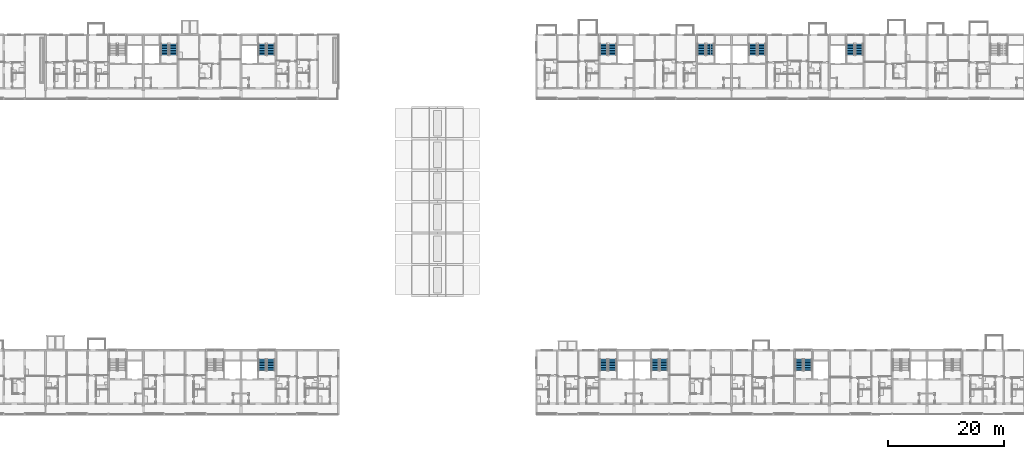
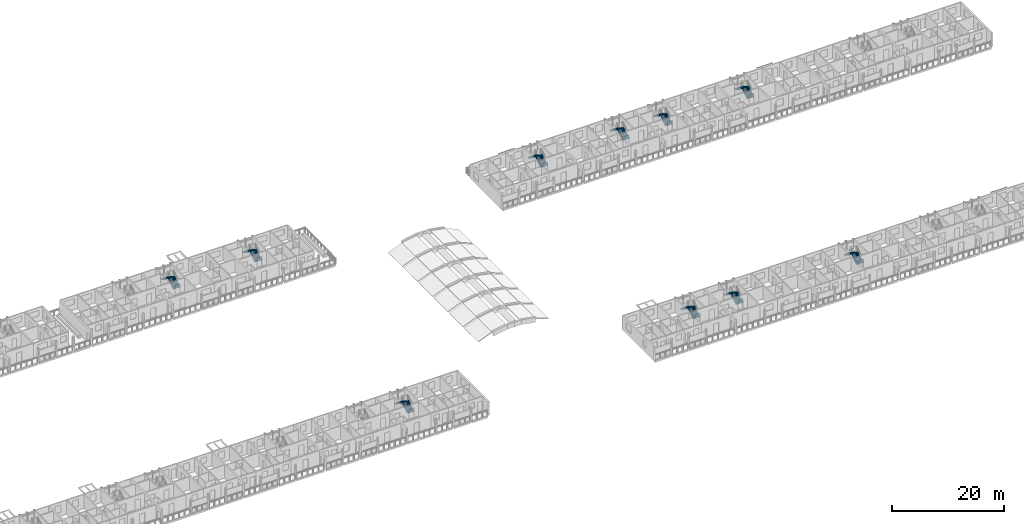
# One storey, part 62 of 93: 20 stair flights, 10 elements without a shape of their own.
"""IFC4 building model written with IfcOpenShell, lengths in metres."""

from ifc_helpers import new_model, si_unit, direction, frame, origin, place, context, subcontext, project, spatial, polyline, outline, extrude, material, type_object, element, aggregate, save


model = new_model("IFC4")

# Units and contexts
model_context = context("Model", 3, precision=1e-05, world=origin(), true_north=direction((0.0, 1.0)))
body_context = subcontext(model_context, "Body", "Model", "MODEL_VIEW")
ifc_project = project(units=[si_unit("LENGTHUNIT", "METRE"), si_unit("AREAUNIT", "SQUARE_METRE"), si_unit("VOLUMEUNIT", "CUBIC_METRE"), si_unit("PLANEANGLEUNIT", "RADIAN"), si_unit("MASSUNIT", "GRAM", prefix="KILO")], contexts=[model_context])

# Site, building, storey
site_placement = place(None, origin())
site = spatial("IfcSite", under=ifc_project, at=site_placement, CompositionType="ELEMENT")
building_placement = place(site_placement, origin())
building = spatial("IfcBuilding", under=site, at=building_placement, Name="Ridgestep Commons", CompositionType="ELEMENT")
storey_placement = place(building_placement, frame((0.0, 0.0, 18.0)))
storey = spatial("IfcBuildingStorey", under=building, at=storey_placement, Name="L06", CompositionType="ELEMENT", Elevation=18.0)

# Stair, stair flights
ifc_material_1 = material(Name="Precast concrete C40/50", Category="concrete")
stair_type = type_object("IfcStairType", Name="Escape stair 1400", PredefinedType="HALF_TURN_STAIR", material=ifc_material_1)
stair_1_placement = place(storey_placement, origin())
stair_1 = element("IfcStair", 1, at=stair_1_placement, inside=storey, type_object=stair_type, Name="L06 Escape stair A6C", PredefinedType="HALF_TURN_STAIR")
ifc_material_2 = material(Name="Precast concrete C40/50", Category="concrete")
stair_flight_type = type_object("IfcStairFlightType", Name="Stair flight 1400", PredefinedType="STRAIGHT", material=ifc_material_2)
stair_flight_1_placement = place(storey_placement, frame((101.175048828125, 19.35009765625, 0.0), z_axis=(0.0, 0.0, 1.0), x_axis=(0.0, 1.0, 0.0)))
stair_flight_1 = element("IfcStairFlight", 2, at=stair_flight_1_placement, type_object=stair_flight_type, Name="A6C flight 1", NumberOfRisers=8, NumberOfTreads=7, PredefinedType="STRAIGHT", RiserHeight=0.1875, TreadLength=0.28, context=body_context, shape_type="SweptSolid", body=[
    extrude(outline(polyline([(0.0, 0.0), (0.0, 0.1875), (0.280029296875, 0.1875), (0.280029296875, 0.375), (0.56005859375, 0.375), (0.56005859375, 0.5625), (0.840087890625, 0.5625), (0.840087890625, 0.75), (1.1201171875, 0.75), (1.1201171875, 0.9375), (1.39990234375, 0.9375), (1.39990234375, 1.125), (1.679931640625, 1.125), (1.679931640625, 1.3125), (1.9599609375, 1.3125), (1.9599609375, 1.5), (1.9599609375, 1.132080078125), (0.26953125, 0.0), (0.0, 0.0)])), frame((0.0, 0.699951171875, 0.0), z_axis=(0.0, -1.0, 0.0), x_axis=(1.0, 0.0, 0.0)), (0.0, 0.0, 1.0), 0.695068359375),
    extrude(outline(polyline([(0.0, 0.0), (0.0, 0.1875), (0.280029296875, 0.1875), (0.280029296875, 0.375), (0.56005859375, 0.375), (0.56005859375, 0.5625), (0.840087890625, 0.5625), (0.840087890625, 0.75), (1.1201171875, 0.75), (1.1201171875, 0.9375), (1.39990234375, 0.9375), (1.39990234375, 1.125), (1.679931640625, 1.125), (1.679931640625, 1.3125), (1.9599609375, 1.3125), (1.9599609375, 1.5), (1.9599609375, 1.132080078125), (0.26953125, 0.0), (0.0, 0.0)])), frame((0.0, -0.0048828125, 0.0), z_axis=(0.0, -1.0, 0.0), x_axis=(1.0, 0.0, 0.0)), (0.0, 0.0, 1.0), 0.695068359375),
])
stair_flight_2_placement = place(storey_placement, frame((99.675048828125, 21.31005859375, 1.5), z_axis=(0.0, 0.0, 1.0), x_axis=(0.0, -1.0, 0.0)))
stair_flight_2 = element("IfcStairFlight", 3, at=stair_flight_2_placement, type_object=stair_flight_type, Name="A6C flight 2", NumberOfRisers=8, NumberOfTreads=7, PredefinedType="STRAIGHT", RiserHeight=0.1875, TreadLength=0.28, context=body_context, shape_type="SweptSolid", body=[
    extrude(outline(polyline([(0.0, 0.0), (0.0, 0.1875), (0.280029296875, 0.1875), (0.280029296875, 0.375), (0.56005859375, 0.375), (0.56005859375, 0.5625), (0.840087890625, 0.5625), (0.840087890625, 0.75), (1.1201171875, 0.75), (1.1201171875, 0.9375), (1.39990234375, 0.9375), (1.39990234375, 1.125), (1.679931640625, 1.125), (1.679931640625, 1.3125), (1.9599609375, 1.3125), (1.9599609375, 1.5), (1.9599609375, 1.132080078125), (0.26953125, 0.0), (0.0, 0.0)])), frame((0.0, 0.699951171875, 0.0), z_axis=(0.0, -1.0, 0.0), x_axis=(1.0, 0.0, 0.0)), (0.0, 0.0, 1.0), 0.695068359375),
    extrude(outline(polyline([(0.0, 0.0), (0.0, 0.1875), (0.280029296875, 0.1875), (0.280029296875, 0.375), (0.56005859375, 0.375), (0.56005859375, 0.5625), (0.840087890625, 0.5625), (0.840087890625, 0.75), (1.1201171875, 0.75), (1.1201171875, 0.9375), (1.39990234375, 0.9375), (1.39990234375, 1.125), (1.679931640625, 1.125), (1.679931640625, 1.3125), (1.9599609375, 1.3125), (1.9599609375, 1.5), (1.9599609375, 1.132080078125), (0.26953125, 0.0), (0.0, 0.0)])), frame((0.0, -0.0048828125, 0.0), z_axis=(0.0, -1.0, 0.0), x_axis=(1.0, 0.0, 0.0)), (0.0, 0.0, 1.0), 0.695068359375),
])
aggregate(stair_1, [stair_flight_1, stair_flight_2])

stair_2_placement = place(storey_placement, origin())
stair_2 = element("IfcStair", 4, at=stair_2_placement, inside=storey, type_object=stair_type, Name="L06 Escape stair B5C", PredefinedType="HALF_TURN_STAIR")
stair_flight_3_placement = place(storey_placement, frame((84.375, 73.60009765625, 0.0), z_axis=(0.0, 0.0, 1.0), x_axis=(0.0, 1.0, 0.0)))
stair_flight_3 = element("IfcStairFlight", 5, at=stair_flight_3_placement, type_object=stair_flight_type, Name="B5C flight 1", NumberOfRisers=8, NumberOfTreads=7, PredefinedType="STRAIGHT", RiserHeight=0.1875, TreadLength=0.28, context=body_context, shape_type="SweptSolid", body=[
    extrude(outline(polyline([(0.0, 0.0), (0.0, 0.1875), (0.280029296875, 0.1875), (0.280029296875, 0.375), (0.56005859375, 0.375), (0.56005859375, 0.5625), (0.840087890625, 0.5625), (0.840087890625, 0.75), (1.1201171875, 0.75), (1.1201171875, 0.9375), (1.39990234375, 0.9375), (1.39990234375, 1.125), (1.679931640625, 1.125), (1.679931640625, 1.3125), (1.9599609375, 1.3125), (1.9599609375, 1.5), (1.9599609375, 1.132080078125), (0.26953125, 0.0), (0.0, 0.0)])), frame((0.0, 0.699951171875, 0.0), z_axis=(0.0, -1.0, 0.0), x_axis=(1.0, 0.0, 0.0)), (0.0, 0.0, 1.0), 0.695068359375),
    extrude(outline(polyline([(0.0, 0.0), (0.0, 0.1875), (0.280029296875, 0.1875), (0.280029296875, 0.375), (0.56005859375, 0.375), (0.56005859375, 0.5625), (0.840087890625, 0.5625), (0.840087890625, 0.75), (1.1201171875, 0.75), (1.1201171875, 0.9375), (1.39990234375, 0.9375), (1.39990234375, 1.125), (1.679931640625, 1.125), (1.679931640625, 1.3125), (1.9599609375, 1.3125), (1.9599609375, 1.5), (1.9599609375, 1.132080078125), (0.26953125, 0.0), (0.0, 0.0)])), frame((0.0, -0.0048828125, 0.0), z_axis=(0.0, -1.0, 0.0), x_axis=(1.0, 0.0, 0.0)), (0.0, 0.0, 1.0), 0.695068359375),
])
stair_flight_4_placement = place(storey_placement, frame((82.875, 75.56005859375, 1.5), z_axis=(0.0, 0.0, 1.0), x_axis=(0.0, -1.0, 0.0)))
stair_flight_4 = element("IfcStairFlight", 6, at=stair_flight_4_placement, type_object=stair_flight_type, Name="B5C flight 2", NumberOfRisers=8, NumberOfTreads=7, PredefinedType="STRAIGHT", RiserHeight=0.1875, TreadLength=0.28, context=body_context, shape_type="SweptSolid", body=[
    extrude(outline(polyline([(0.0, 0.0), (0.0, 0.1875), (0.280029296875, 0.1875), (0.280029296875, 0.375), (0.56005859375, 0.375), (0.56005859375, 0.5625), (0.840087890625, 0.5625), (0.840087890625, 0.75), (1.1201171875, 0.75), (1.1201171875, 0.9375), (1.39990234375, 0.9375), (1.39990234375, 1.125), (1.679931640625, 1.125), (1.679931640625, 1.3125), (1.9599609375, 1.3125), (1.9599609375, 1.5), (1.9599609375, 1.132080078125), (0.26953125, 0.0), (0.0, 0.0)])), frame((0.0, 0.699951171875, 0.0), z_axis=(0.0, -1.0, 0.0), x_axis=(1.0, 0.0, 0.0)), (0.0, 0.0, 1.0), 0.695068359375),
    extrude(outline(polyline([(0.0, 0.0), (0.0, 0.1875), (0.280029296875, 0.1875), (0.280029296875, 0.375), (0.56005859375, 0.375), (0.56005859375, 0.5625), (0.840087890625, 0.5625), (0.840087890625, 0.75), (1.1201171875, 0.75), (1.1201171875, 0.9375), (1.39990234375, 0.9375), (1.39990234375, 1.125), (1.679931640625, 1.125), (1.679931640625, 1.3125), (1.9599609375, 1.3125), (1.9599609375, 1.5), (1.9599609375, 1.132080078125), (0.26953125, 0.0), (0.0, 0.0)])), frame((0.0, -0.0048828125, 0.0), z_axis=(0.0, -1.0, 0.0), x_axis=(1.0, 0.0, 0.0)), (0.0, 0.0, 1.0), 0.695068359375),
])
aggregate(stair_2, [stair_flight_3, stair_flight_4])

stair_3_placement = place(storey_placement, origin())
stair_3 = element("IfcStair", 7, at=stair_3_placement, inside=storey, type_object=stair_type, Name="L06 Escape stair B6C", PredefinedType="HALF_TURN_STAIR")
stair_flight_5_placement = place(storey_placement, frame((101.175048828125, 73.60009765625, 0.0), z_axis=(0.0, 0.0, 1.0), x_axis=(0.0, 1.0, 0.0)))
stair_flight_5 = element("IfcStairFlight", 8, at=stair_flight_5_placement, type_object=stair_flight_type, Name="B6C flight 1", NumberOfRisers=8, NumberOfTreads=7, PredefinedType="STRAIGHT", RiserHeight=0.1875, TreadLength=0.28, context=body_context, shape_type="SweptSolid", body=[
    extrude(outline(polyline([(0.0, 0.0), (0.0, 0.1875), (0.280029296875, 0.1875), (0.280029296875, 0.375), (0.56005859375, 0.375), (0.56005859375, 0.5625), (0.840087890625, 0.5625), (0.840087890625, 0.75), (1.1201171875, 0.75), (1.1201171875, 0.9375), (1.39990234375, 0.9375), (1.39990234375, 1.125), (1.679931640625, 1.125), (1.679931640625, 1.3125), (1.9599609375, 1.3125), (1.9599609375, 1.5), (1.9599609375, 1.132080078125), (0.26953125, 0.0), (0.0, 0.0)])), frame((0.0, 0.699951171875, 0.0), z_axis=(0.0, -1.0, 0.0), x_axis=(1.0, 0.0, 0.0)), (0.0, 0.0, 1.0), 0.695068359375),
    extrude(outline(polyline([(0.0, 0.0), (0.0, 0.1875), (0.280029296875, 0.1875), (0.280029296875, 0.375), (0.56005859375, 0.375), (0.56005859375, 0.5625), (0.840087890625, 0.5625), (0.840087890625, 0.75), (1.1201171875, 0.75), (1.1201171875, 0.9375), (1.39990234375, 0.9375), (1.39990234375, 1.125), (1.679931640625, 1.125), (1.679931640625, 1.3125), (1.9599609375, 1.3125), (1.9599609375, 1.5), (1.9599609375, 1.132080078125), (0.26953125, 0.0), (0.0, 0.0)])), frame((0.0, -0.0048828125, 0.0), z_axis=(0.0, -1.0, 0.0), x_axis=(1.0, 0.0, 0.0)), (0.0, 0.0, 1.0), 0.695068359375),
])
stair_flight_6_placement = place(storey_placement, frame((99.675048828125, 75.56005859375, 1.5), z_axis=(0.0, 0.0, 1.0), x_axis=(0.0, -1.0, 0.0)))
stair_flight_6 = element("IfcStairFlight", 9, at=stair_flight_6_placement, type_object=stair_flight_type, Name="B6C flight 2", NumberOfRisers=8, NumberOfTreads=7, PredefinedType="STRAIGHT", RiserHeight=0.1875, TreadLength=0.28, context=body_context, shape_type="SweptSolid", body=[
    extrude(outline(polyline([(0.0, 0.0), (0.0, 0.1875), (0.280029296875, 0.1875), (0.280029296875, 0.375), (0.56005859375, 0.375), (0.56005859375, 0.5625), (0.840087890625, 0.5625), (0.840087890625, 0.75), (1.1201171875, 0.75), (1.1201171875, 0.9375), (1.39990234375, 0.9375), (1.39990234375, 1.125), (1.679931640625, 1.125), (1.679931640625, 1.3125), (1.9599609375, 1.3125), (1.9599609375, 1.5), (1.9599609375, 1.132080078125), (0.26953125, 0.0), (0.0, 0.0)])), frame((0.0, 0.699951171875, 0.0), z_axis=(0.0, -1.0, 0.0), x_axis=(1.0, 0.0, 0.0)), (0.0, 0.0, 1.0), 0.695068359375),
    extrude(outline(polyline([(0.0, 0.0), (0.0, 0.1875), (0.280029296875, 0.1875), (0.280029296875, 0.375), (0.56005859375, 0.375), (0.56005859375, 0.5625), (0.840087890625, 0.5625), (0.840087890625, 0.75), (1.1201171875, 0.75), (1.1201171875, 0.9375), (1.39990234375, 0.9375), (1.39990234375, 1.125), (1.679931640625, 1.125), (1.679931640625, 1.3125), (1.9599609375, 1.3125), (1.9599609375, 1.5), (1.9599609375, 1.132080078125), (0.26953125, 0.0), (0.0, 0.0)])), frame((0.0, -0.0048828125, 0.0), z_axis=(0.0, -1.0, 0.0), x_axis=(1.0, 0.0, 0.0)), (0.0, 0.0, 1.0), 0.695068359375),
])
aggregate(stair_3, [stair_flight_5, stair_flight_6])

stair_4_placement = place(storey_placement, origin())
stair_4 = element("IfcStair", 10, at=stair_4_placement, inside=storey, type_object=stair_type, Name="L06 Escape stair C1C", PredefinedType="HALF_TURN_STAIR")
stair_flight_7_placement = place(storey_placement, frame((159.925048828125, 73.60009765625, 0.0), z_axis=(0.0, 0.0, 1.0), x_axis=(0.0, 1.0, 0.0)))
stair_flight_7 = element("IfcStairFlight", 11, at=stair_flight_7_placement, type_object=stair_flight_type, Name="C1C flight 1", NumberOfRisers=8, NumberOfTreads=7, PredefinedType="STRAIGHT", RiserHeight=0.1875, TreadLength=0.28, context=body_context, shape_type="SweptSolid", body=[
    extrude(outline(polyline([(0.0, 0.0), (0.0, 0.1875), (0.280029296875, 0.1875), (0.280029296875, 0.375), (0.56005859375, 0.375), (0.56005859375, 0.5625), (0.840087890625, 0.5625), (0.840087890625, 0.75), (1.1201171875, 0.75), (1.1201171875, 0.9375), (1.39990234375, 0.9375), (1.39990234375, 1.125), (1.679931640625, 1.125), (1.679931640625, 1.3125), (1.9599609375, 1.3125), (1.9599609375, 1.5), (1.9599609375, 1.132080078125), (0.26953125, 0.0), (0.0, 0.0)])), frame((0.0, 0.699951171875, 0.0), z_axis=(0.0, -1.0, 0.0), x_axis=(1.0, 0.0, 0.0)), (0.0, 0.0, 1.0), 0.695068359375),
    extrude(outline(polyline([(0.0, 0.0), (0.0, 0.1875), (0.280029296875, 0.1875), (0.280029296875, 0.375), (0.56005859375, 0.375), (0.56005859375, 0.5625), (0.840087890625, 0.5625), (0.840087890625, 0.75), (1.1201171875, 0.75), (1.1201171875, 0.9375), (1.39990234375, 0.9375), (1.39990234375, 1.125), (1.679931640625, 1.125), (1.679931640625, 1.3125), (1.9599609375, 1.3125), (1.9599609375, 1.5), (1.9599609375, 1.132080078125), (0.26953125, 0.0), (0.0, 0.0)])), frame((0.0, -0.0048828125, 0.0), z_axis=(0.0, -1.0, 0.0), x_axis=(1.0, 0.0, 0.0)), (0.0, 0.0, 1.0), 0.695068359375),
])
stair_flight_8_placement = place(storey_placement, frame((158.425048828125, 75.56005859375, 1.5), z_axis=(0.0, 0.0, 1.0), x_axis=(0.0, -1.0, 0.0)))
stair_flight_8 = element("IfcStairFlight", 12, at=stair_flight_8_placement, type_object=stair_flight_type, Name="C1C flight 2", NumberOfRisers=8, NumberOfTreads=7, PredefinedType="STRAIGHT", RiserHeight=0.1875, TreadLength=0.28, context=body_context, shape_type="SweptSolid", body=[
    extrude(outline(polyline([(0.0, 0.0), (0.0, 0.1875), (0.280029296875, 0.1875), (0.280029296875, 0.375), (0.56005859375, 0.375), (0.56005859375, 0.5625), (0.840087890625, 0.5625), (0.840087890625, 0.75), (1.1201171875, 0.75), (1.1201171875, 0.9375), (1.39990234375, 0.9375), (1.39990234375, 1.125), (1.679931640625, 1.125), (1.679931640625, 1.3125), (1.9599609375, 1.3125), (1.9599609375, 1.5), (1.9599609375, 1.132080078125), (0.26953125, 0.0), (0.0, 0.0)])), frame((0.0, 0.699951171875, 0.0), z_axis=(0.0, -1.0, 0.0), x_axis=(1.0, 0.0, 0.0)), (0.0, 0.0, 1.0), 0.695068359375),
    extrude(outline(polyline([(0.0, 0.0), (0.0, 0.1875), (0.280029296875, 0.1875), (0.280029296875, 0.375), (0.56005859375, 0.375), (0.56005859375, 0.5625), (0.840087890625, 0.5625), (0.840087890625, 0.75), (1.1201171875, 0.75), (1.1201171875, 0.9375), (1.39990234375, 0.9375), (1.39990234375, 1.125), (1.679931640625, 1.125), (1.679931640625, 1.3125), (1.9599609375, 1.3125), (1.9599609375, 1.5), (1.9599609375, 1.132080078125), (0.26953125, 0.0), (0.0, 0.0)])), frame((0.0, -0.0048828125, 0.0), z_axis=(0.0, -1.0, 0.0), x_axis=(1.0, 0.0, 0.0)), (0.0, 0.0, 1.0), 0.695068359375),
])
aggregate(stair_4, [stair_flight_7, stair_flight_8])

stair_5_placement = place(storey_placement, origin())
stair_5 = element("IfcStair", 13, at=stair_5_placement, inside=storey, type_object=stair_type, Name="L06 Escape stair C2C", PredefinedType="HALF_TURN_STAIR")
stair_flight_9_placement = place(storey_placement, frame((176.72509765625, 73.60009765625, 0.0), z_axis=(0.0, 0.0, 1.0), x_axis=(0.0, 1.0, 0.0)))
stair_flight_9 = element("IfcStairFlight", 14, at=stair_flight_9_placement, type_object=stair_flight_type, Name="C2C flight 1", NumberOfRisers=8, NumberOfTreads=7, PredefinedType="STRAIGHT", RiserHeight=0.1875, TreadLength=0.28, context=body_context, shape_type="SweptSolid", body=[
    extrude(outline(polyline([(0.0, 0.0), (0.0, 0.1875), (0.280029296875, 0.1875), (0.280029296875, 0.375), (0.56005859375, 0.375), (0.56005859375, 0.5625), (0.840087890625, 0.5625), (0.840087890625, 0.75), (1.1201171875, 0.75), (1.1201171875, 0.9375), (1.39990234375, 0.9375), (1.39990234375, 1.125), (1.679931640625, 1.125), (1.679931640625, 1.3125), (1.9599609375, 1.3125), (1.9599609375, 1.5), (1.9599609375, 1.132080078125), (0.26953125, 0.0), (0.0, 0.0)])), frame((0.0, 0.699951171875, 0.0), z_axis=(0.0, -1.0, 0.0), x_axis=(1.0, 0.0, 0.0)), (0.0, 0.0, 1.0), 0.695068359375),
    extrude(outline(polyline([(0.0, 0.0), (0.0, 0.1875), (0.280029296875, 0.1875), (0.280029296875, 0.375), (0.56005859375, 0.375), (0.56005859375, 0.5625), (0.840087890625, 0.5625), (0.840087890625, 0.75), (1.1201171875, 0.75), (1.1201171875, 0.9375), (1.39990234375, 0.9375), (1.39990234375, 1.125), (1.679931640625, 1.125), (1.679931640625, 1.3125), (1.9599609375, 1.3125), (1.9599609375, 1.5), (1.9599609375, 1.132080078125), (0.26953125, 0.0), (0.0, 0.0)])), frame((0.0, -0.0048828125, 0.0), z_axis=(0.0, -1.0, 0.0), x_axis=(1.0, 0.0, 0.0)), (0.0, 0.0, 1.0), 0.695068359375),
])
stair_flight_10_placement = place(storey_placement, frame((175.22509765625, 75.56005859375, 1.5), z_axis=(0.0, 0.0, 1.0), x_axis=(0.0, -1.0, 0.0)))
stair_flight_10 = element("IfcStairFlight", 15, at=stair_flight_10_placement, type_object=stair_flight_type, Name="C2C flight 2", NumberOfRisers=8, NumberOfTreads=7, PredefinedType="STRAIGHT", RiserHeight=0.1875, TreadLength=0.28, context=body_context, shape_type="SweptSolid", body=[
    extrude(outline(polyline([(0.0, 0.0), (0.0, 0.1875), (0.280029296875, 0.1875), (0.280029296875, 0.375), (0.56005859375, 0.375), (0.56005859375, 0.5625), (0.840087890625, 0.5625), (0.840087890625, 0.75), (1.1201171875, 0.75), (1.1201171875, 0.9375), (1.39990234375, 0.9375), (1.39990234375, 1.125), (1.679931640625, 1.125), (1.679931640625, 1.3125), (1.9599609375, 1.3125), (1.9599609375, 1.5), (1.9599609375, 1.132080078125), (0.26953125, 0.0), (0.0, 0.0)])), frame((0.0, 0.699951171875, 0.0), z_axis=(0.0, -1.0, 0.0), x_axis=(1.0, 0.0, 0.0)), (0.0, 0.0, 1.0), 0.695068359375),
    extrude(outline(polyline([(0.0, 0.0), (0.0, 0.1875), (0.280029296875, 0.1875), (0.280029296875, 0.375), (0.56005859375, 0.375), (0.56005859375, 0.5625), (0.840087890625, 0.5625), (0.840087890625, 0.75), (1.1201171875, 0.75), (1.1201171875, 0.9375), (1.39990234375, 0.9375), (1.39990234375, 1.125), (1.679931640625, 1.125), (1.679931640625, 1.3125), (1.9599609375, 1.3125), (1.9599609375, 1.5), (1.9599609375, 1.132080078125), (0.26953125, 0.0), (0.0, 0.0)])), frame((0.0, -0.0048828125, 0.0), z_axis=(0.0, -1.0, 0.0), x_axis=(1.0, 0.0, 0.0)), (0.0, 0.0, 1.0), 0.695068359375),
])
aggregate(stair_5, [stair_flight_9, stair_flight_10])

stair_6_placement = place(storey_placement, origin())
stair_6 = element("IfcStair", 16, at=stair_6_placement, inside=storey, type_object=stair_type, Name="L06 Escape stair C3C", PredefinedType="HALF_TURN_STAIR")
stair_flight_11_placement = place(storey_placement, frame((185.574951171875, 73.60009765625, 0.0), z_axis=(0.0, 0.0, 1.0), x_axis=(0.0, 1.0, 0.0)))
stair_flight_11 = element("IfcStairFlight", 17, at=stair_flight_11_placement, type_object=stair_flight_type, Name="C3C flight 1", NumberOfRisers=8, NumberOfTreads=7, PredefinedType="STRAIGHT", RiserHeight=0.1875, TreadLength=0.28, context=body_context, shape_type="SweptSolid", body=[
    extrude(outline(polyline([(0.0, 0.0), (0.0, 0.1875), (0.280029296875, 0.1875), (0.280029296875, 0.375), (0.56005859375, 0.375), (0.56005859375, 0.5625), (0.840087890625, 0.5625), (0.840087890625, 0.75), (1.1201171875, 0.75), (1.1201171875, 0.9375), (1.39990234375, 0.9375), (1.39990234375, 1.125), (1.679931640625, 1.125), (1.679931640625, 1.3125), (1.9599609375, 1.3125), (1.9599609375, 1.5), (1.9599609375, 1.132080078125), (0.26953125, 0.0), (0.0, 0.0)])), frame((0.0, 0.699951171875, 0.0), z_axis=(0.0, -1.0, 0.0), x_axis=(1.0, 0.0, 0.0)), (0.0, 0.0, 1.0), 0.695068359375),
    extrude(outline(polyline([(0.0, 0.0), (0.0, 0.1875), (0.280029296875, 0.1875), (0.280029296875, 0.375), (0.56005859375, 0.375), (0.56005859375, 0.5625), (0.840087890625, 0.5625), (0.840087890625, 0.75), (1.1201171875, 0.75), (1.1201171875, 0.9375), (1.39990234375, 0.9375), (1.39990234375, 1.125), (1.679931640625, 1.125), (1.679931640625, 1.3125), (1.9599609375, 1.3125), (1.9599609375, 1.5), (1.9599609375, 1.132080078125), (0.26953125, 0.0), (0.0, 0.0)])), frame((0.0, -0.0048828125, 0.0), z_axis=(0.0, -1.0, 0.0), x_axis=(1.0, 0.0, 0.0)), (0.0, 0.0, 1.0), 0.695068359375),
])
stair_flight_12_placement = place(storey_placement, frame((184.074951171875, 75.56005859375, 1.5), z_axis=(0.0, 0.0, 1.0), x_axis=(0.0, -1.0, 0.0)))
stair_flight_12 = element("IfcStairFlight", 18, at=stair_flight_12_placement, type_object=stair_flight_type, Name="C3C flight 2", NumberOfRisers=8, NumberOfTreads=7, PredefinedType="STRAIGHT", RiserHeight=0.1875, TreadLength=0.28, context=body_context, shape_type="SweptSolid", body=[
    extrude(outline(polyline([(0.0, 0.0), (0.0, 0.1875), (0.280029296875, 0.1875), (0.280029296875, 0.375), (0.56005859375, 0.375), (0.56005859375, 0.5625), (0.840087890625, 0.5625), (0.840087890625, 0.75), (1.1201171875, 0.75), (1.1201171875, 0.9375), (1.39990234375, 0.9375), (1.39990234375, 1.125), (1.679931640625, 1.125), (1.679931640625, 1.3125), (1.9599609375, 1.3125), (1.9599609375, 1.5), (1.9599609375, 1.132080078125), (0.26953125, 0.0), (0.0, 0.0)])), frame((0.0, 0.699951171875, 0.0), z_axis=(0.0, -1.0, 0.0), x_axis=(1.0, 0.0, 0.0)), (0.0, 0.0, 1.0), 0.695068359375),
    extrude(outline(polyline([(0.0, 0.0), (0.0, 0.1875), (0.280029296875, 0.1875), (0.280029296875, 0.375), (0.56005859375, 0.375), (0.56005859375, 0.5625), (0.840087890625, 0.5625), (0.840087890625, 0.75), (1.1201171875, 0.75), (1.1201171875, 0.9375), (1.39990234375, 0.9375), (1.39990234375, 1.125), (1.679931640625, 1.125), (1.679931640625, 1.3125), (1.9599609375, 1.3125), (1.9599609375, 1.5), (1.9599609375, 1.132080078125), (0.26953125, 0.0), (0.0, 0.0)])), frame((0.0, -0.0048828125, 0.0), z_axis=(0.0, -1.0, 0.0), x_axis=(1.0, 0.0, 0.0)), (0.0, 0.0, 1.0), 0.695068359375),
])
aggregate(stair_6, [stair_flight_11, stair_flight_12])

stair_7_placement = place(storey_placement, origin())
stair_7 = element("IfcStair", 19, at=stair_7_placement, inside=storey, type_object=stair_type, Name="L06 Escape stair C4C", PredefinedType="HALF_TURN_STAIR")
stair_flight_13_placement = place(storey_placement, frame((202.375, 73.60009765625, 0.0), z_axis=(0.0, 0.0, 1.0), x_axis=(0.0, 1.0, 0.0)))
stair_flight_13 = element("IfcStairFlight", 20, at=stair_flight_13_placement, type_object=stair_flight_type, Name="C4C flight 1", NumberOfRisers=8, NumberOfTreads=7, PredefinedType="STRAIGHT", RiserHeight=0.1875, TreadLength=0.28, context=body_context, shape_type="SweptSolid", body=[
    extrude(outline(polyline([(0.0, 0.0), (0.0, 0.1875), (0.280029296875, 0.1875), (0.280029296875, 0.375), (0.56005859375, 0.375), (0.56005859375, 0.5625), (0.840087890625, 0.5625), (0.840087890625, 0.75), (1.1201171875, 0.75), (1.1201171875, 0.9375), (1.39990234375, 0.9375), (1.39990234375, 1.125), (1.679931640625, 1.125), (1.679931640625, 1.3125), (1.9599609375, 1.3125), (1.9599609375, 1.5), (1.9599609375, 1.132080078125), (0.26953125, 0.0), (0.0, 0.0)])), frame((0.0, 0.699951171875, 0.0), z_axis=(0.0, -1.0, 0.0), x_axis=(1.0, 0.0, 0.0)), (0.0, 0.0, 1.0), 0.695068359375),
    extrude(outline(polyline([(0.0, 0.0), (0.0, 0.1875), (0.280029296875, 0.1875), (0.280029296875, 0.375), (0.56005859375, 0.375), (0.56005859375, 0.5625), (0.840087890625, 0.5625), (0.840087890625, 0.75), (1.1201171875, 0.75), (1.1201171875, 0.9375), (1.39990234375, 0.9375), (1.39990234375, 1.125), (1.679931640625, 1.125), (1.679931640625, 1.3125), (1.9599609375, 1.3125), (1.9599609375, 1.5), (1.9599609375, 1.132080078125), (0.26953125, 0.0), (0.0, 0.0)])), frame((0.0, -0.0048828125, 0.0), z_axis=(0.0, -1.0, 0.0), x_axis=(1.0, 0.0, 0.0)), (0.0, 0.0, 1.0), 0.695068359375),
])
stair_flight_14_placement = place(storey_placement, frame((200.875, 75.56005859375, 1.5), z_axis=(0.0, 0.0, 1.0), x_axis=(0.0, -1.0, 0.0)))
stair_flight_14 = element("IfcStairFlight", 21, at=stair_flight_14_placement, type_object=stair_flight_type, Name="C4C flight 2", NumberOfRisers=8, NumberOfTreads=7, PredefinedType="STRAIGHT", RiserHeight=0.1875, TreadLength=0.28, context=body_context, shape_type="SweptSolid", body=[
    extrude(outline(polyline([(0.0, 0.0), (0.0, 0.1875), (0.280029296875, 0.1875), (0.280029296875, 0.375), (0.56005859375, 0.375), (0.56005859375, 0.5625), (0.840087890625, 0.5625), (0.840087890625, 0.75), (1.1201171875, 0.75), (1.1201171875, 0.9375), (1.39990234375, 0.9375), (1.39990234375, 1.125), (1.679931640625, 1.125), (1.679931640625, 1.3125), (1.9599609375, 1.3125), (1.9599609375, 1.5), (1.9599609375, 1.132080078125), (0.26953125, 0.0), (0.0, 0.0)])), frame((0.0, 0.699951171875, 0.0), z_axis=(0.0, -1.0, 0.0), x_axis=(1.0, 0.0, 0.0)), (0.0, 0.0, 1.0), 0.695068359375),
    extrude(outline(polyline([(0.0, 0.0), (0.0, 0.1875), (0.280029296875, 0.1875), (0.280029296875, 0.375), (0.56005859375, 0.375), (0.56005859375, 0.5625), (0.840087890625, 0.5625), (0.840087890625, 0.75), (1.1201171875, 0.75), (1.1201171875, 0.9375), (1.39990234375, 0.9375), (1.39990234375, 1.125), (1.679931640625, 1.125), (1.679931640625, 1.3125), (1.9599609375, 1.3125), (1.9599609375, 1.5), (1.9599609375, 1.132080078125), (0.26953125, 0.0), (0.0, 0.0)])), frame((0.0, -0.0048828125, 0.0), z_axis=(0.0, -1.0, 0.0), x_axis=(1.0, 0.0, 0.0)), (0.0, 0.0, 1.0), 0.695068359375),
])
aggregate(stair_7, [stair_flight_13, stair_flight_14])

stair_8_placement = place(storey_placement, origin())
stair_8 = element("IfcStair", 22, at=stair_8_placement, inside=storey, type_object=stair_type, Name="L06 Escape stair D1C", PredefinedType="HALF_TURN_STAIR")
stair_flight_15_placement = place(storey_placement, frame((159.925048828125, 19.35009765625, 0.0), z_axis=(0.0, 0.0, 1.0), x_axis=(0.0, 1.0, 0.0)))
stair_flight_15 = element("IfcStairFlight", 23, at=stair_flight_15_placement, type_object=stair_flight_type, Name="D1C flight 1", NumberOfRisers=8, NumberOfTreads=7, PredefinedType="STRAIGHT", RiserHeight=0.1875, TreadLength=0.28, context=body_context, shape_type="SweptSolid", body=[
    extrude(outline(polyline([(0.0, 0.0), (0.0, 0.1875), (0.280029296875, 0.1875), (0.280029296875, 0.375), (0.56005859375, 0.375), (0.56005859375, 0.5625), (0.840087890625, 0.5625), (0.840087890625, 0.75), (1.1201171875, 0.75), (1.1201171875, 0.9375), (1.39990234375, 0.9375), (1.39990234375, 1.125), (1.679931640625, 1.125), (1.679931640625, 1.3125), (1.9599609375, 1.3125), (1.9599609375, 1.5), (1.9599609375, 1.132080078125), (0.26953125, 0.0), (0.0, 0.0)])), frame((0.0, 0.699951171875, 0.0), z_axis=(0.0, -1.0, 0.0), x_axis=(1.0, 0.0, 0.0)), (0.0, 0.0, 1.0), 0.695068359375),
    extrude(outline(polyline([(0.0, 0.0), (0.0, 0.1875), (0.280029296875, 0.1875), (0.280029296875, 0.375), (0.56005859375, 0.375), (0.56005859375, 0.5625), (0.840087890625, 0.5625), (0.840087890625, 0.75), (1.1201171875, 0.75), (1.1201171875, 0.9375), (1.39990234375, 0.9375), (1.39990234375, 1.125), (1.679931640625, 1.125), (1.679931640625, 1.3125), (1.9599609375, 1.3125), (1.9599609375, 1.5), (1.9599609375, 1.132080078125), (0.26953125, 0.0), (0.0, 0.0)])), frame((0.0, -0.0048828125, 0.0), z_axis=(0.0, -1.0, 0.0), x_axis=(1.0, 0.0, 0.0)), (0.0, 0.0, 1.0), 0.695068359375),
])
stair_flight_16_placement = place(storey_placement, frame((158.425048828125, 21.31005859375, 1.5), z_axis=(0.0, 0.0, 1.0), x_axis=(0.0, -1.0, 0.0)))
stair_flight_16 = element("IfcStairFlight", 24, at=stair_flight_16_placement, type_object=stair_flight_type, Name="D1C flight 2", NumberOfRisers=8, NumberOfTreads=7, PredefinedType="STRAIGHT", RiserHeight=0.1875, TreadLength=0.28, context=body_context, shape_type="SweptSolid", body=[
    extrude(outline(polyline([(0.0, 0.0), (0.0, 0.1875), (0.280029296875, 0.1875), (0.280029296875, 0.375), (0.56005859375, 0.375), (0.56005859375, 0.5625), (0.840087890625, 0.5625), (0.840087890625, 0.75), (1.1201171875, 0.75), (1.1201171875, 0.9375), (1.39990234375, 0.9375), (1.39990234375, 1.125), (1.679931640625, 1.125), (1.679931640625, 1.3125), (1.9599609375, 1.3125), (1.9599609375, 1.5), (1.9599609375, 1.132080078125), (0.26953125, 0.0), (0.0, 0.0)])), frame((0.0, 0.699951171875, 0.0), z_axis=(0.0, -1.0, 0.0), x_axis=(1.0, 0.0, 0.0)), (0.0, 0.0, 1.0), 0.695068359375),
    extrude(outline(polyline([(0.0, 0.0), (0.0, 0.1875), (0.280029296875, 0.1875), (0.280029296875, 0.375), (0.56005859375, 0.375), (0.56005859375, 0.5625), (0.840087890625, 0.5625), (0.840087890625, 0.75), (1.1201171875, 0.75), (1.1201171875, 0.9375), (1.39990234375, 0.9375), (1.39990234375, 1.125), (1.679931640625, 1.125), (1.679931640625, 1.3125), (1.9599609375, 1.3125), (1.9599609375, 1.5), (1.9599609375, 1.132080078125), (0.26953125, 0.0), (0.0, 0.0)])), frame((0.0, -0.0048828125, 0.0), z_axis=(0.0, -1.0, 0.0), x_axis=(1.0, 0.0, 0.0)), (0.0, 0.0, 1.0), 0.695068359375),
])
aggregate(stair_8, [stair_flight_15, stair_flight_16])

stair_9_placement = place(storey_placement, origin())
stair_9 = element("IfcStair", 25, at=stair_9_placement, inside=storey, type_object=stair_type, Name="L06 Escape stair D2C", PredefinedType="HALF_TURN_STAIR")
stair_flight_17_placement = place(storey_placement, frame((168.77490234375, 19.35009765625, 0.0), z_axis=(0.0, 0.0, 1.0), x_axis=(0.0, 1.0, 0.0)))
stair_flight_17 = element("IfcStairFlight", 26, at=stair_flight_17_placement, type_object=stair_flight_type, Name="D2C flight 1", NumberOfRisers=8, NumberOfTreads=7, PredefinedType="STRAIGHT", RiserHeight=0.1875, TreadLength=0.28, context=body_context, shape_type="SweptSolid", body=[
    extrude(outline(polyline([(0.0, 0.0), (0.0, 0.1875), (0.280029296875, 0.1875), (0.280029296875, 0.375), (0.56005859375, 0.375), (0.56005859375, 0.5625), (0.840087890625, 0.5625), (0.840087890625, 0.75), (1.1201171875, 0.75), (1.1201171875, 0.9375), (1.39990234375, 0.9375), (1.39990234375, 1.125), (1.679931640625, 1.125), (1.679931640625, 1.3125), (1.9599609375, 1.3125), (1.9599609375, 1.5), (1.9599609375, 1.132080078125), (0.26953125, 0.0), (0.0, 0.0)])), frame((0.0, 0.699951171875, 0.0), z_axis=(0.0, -1.0, 0.0), x_axis=(1.0, 0.0, 0.0)), (0.0, 0.0, 1.0), 0.695068359375),
    extrude(outline(polyline([(0.0, 0.0), (0.0, 0.1875), (0.280029296875, 0.1875), (0.280029296875, 0.375), (0.56005859375, 0.375), (0.56005859375, 0.5625), (0.840087890625, 0.5625), (0.840087890625, 0.75), (1.1201171875, 0.75), (1.1201171875, 0.9375), (1.39990234375, 0.9375), (1.39990234375, 1.125), (1.679931640625, 1.125), (1.679931640625, 1.3125), (1.9599609375, 1.3125), (1.9599609375, 1.5), (1.9599609375, 1.132080078125), (0.26953125, 0.0), (0.0, 0.0)])), frame((0.0, -0.0048828125, 0.0), z_axis=(0.0, -1.0, 0.0), x_axis=(1.0, 0.0, 0.0)), (0.0, 0.0, 1.0), 0.695068359375),
])
stair_flight_18_placement = place(storey_placement, frame((167.27490234375, 21.31005859375, 1.5), z_axis=(0.0, 0.0, 1.0), x_axis=(0.0, -1.0, 0.0)))
stair_flight_18 = element("IfcStairFlight", 27, at=stair_flight_18_placement, type_object=stair_flight_type, Name="D2C flight 2", NumberOfRisers=8, NumberOfTreads=7, PredefinedType="STRAIGHT", RiserHeight=0.1875, TreadLength=0.28, context=body_context, shape_type="SweptSolid", body=[
    extrude(outline(polyline([(0.0, 0.0), (0.0, 0.1875), (0.280029296875, 0.1875), (0.280029296875, 0.375), (0.56005859375, 0.375), (0.56005859375, 0.5625), (0.840087890625, 0.5625), (0.840087890625, 0.75), (1.1201171875, 0.75), (1.1201171875, 0.9375), (1.39990234375, 0.9375), (1.39990234375, 1.125), (1.679931640625, 1.125), (1.679931640625, 1.3125), (1.9599609375, 1.3125), (1.9599609375, 1.5), (1.9599609375, 1.132080078125), (0.26953125, 0.0), (0.0, 0.0)])), frame((0.0, 0.699951171875, 0.0), z_axis=(0.0, -1.0, 0.0), x_axis=(1.0, 0.0, 0.0)), (0.0, 0.0, 1.0), 0.695068359375),
    extrude(outline(polyline([(0.0, 0.0), (0.0, 0.1875), (0.280029296875, 0.1875), (0.280029296875, 0.375), (0.56005859375, 0.375), (0.56005859375, 0.5625), (0.840087890625, 0.5625), (0.840087890625, 0.75), (1.1201171875, 0.75), (1.1201171875, 0.9375), (1.39990234375, 0.9375), (1.39990234375, 1.125), (1.679931640625, 1.125), (1.679931640625, 1.3125), (1.9599609375, 1.3125), (1.9599609375, 1.5), (1.9599609375, 1.132080078125), (0.26953125, 0.0), (0.0, 0.0)])), frame((0.0, -0.0048828125, 0.0), z_axis=(0.0, -1.0, 0.0), x_axis=(1.0, 0.0, 0.0)), (0.0, 0.0, 1.0), 0.695068359375),
])
aggregate(stair_9, [stair_flight_17, stair_flight_18])

stair_10_placement = place(storey_placement, origin())
stair_10 = element("IfcStair", 28, at=stair_10_placement, inside=storey, type_object=stair_type, Name="L06 Escape stair D3C", PredefinedType="HALF_TURN_STAIR")
stair_flight_19_placement = place(storey_placement, frame((193.52490234375, 19.35009765625, 0.0), z_axis=(0.0, 0.0, 1.0), x_axis=(0.0, 1.0, 0.0)))
stair_flight_19 = element("IfcStairFlight", 29, at=stair_flight_19_placement, type_object=stair_flight_type, Name="D3C flight 1", NumberOfRisers=8, NumberOfTreads=7, PredefinedType="STRAIGHT", RiserHeight=0.1875, TreadLength=0.28, context=body_context, shape_type="SweptSolid", body=[
    extrude(outline(polyline([(0.0, 0.0), (0.0, 0.1875), (0.280029296875, 0.1875), (0.280029296875, 0.375), (0.56005859375, 0.375), (0.56005859375, 0.5625), (0.840087890625, 0.5625), (0.840087890625, 0.75), (1.1201171875, 0.75), (1.1201171875, 0.9375), (1.39990234375, 0.9375), (1.39990234375, 1.125), (1.679931640625, 1.125), (1.679931640625, 1.3125), (1.9599609375, 1.3125), (1.9599609375, 1.5), (1.9599609375, 1.132080078125), (0.26953125, 0.0), (0.0, 0.0)])), frame((0.0, 0.699951171875, 0.0), z_axis=(0.0, -1.0, 0.0), x_axis=(1.0, 0.0, 0.0)), (0.0, 0.0, 1.0), 0.695068359375),
    extrude(outline(polyline([(0.0, 0.0), (0.0, 0.1875), (0.280029296875, 0.1875), (0.280029296875, 0.375), (0.56005859375, 0.375), (0.56005859375, 0.5625), (0.840087890625, 0.5625), (0.840087890625, 0.75), (1.1201171875, 0.75), (1.1201171875, 0.9375), (1.39990234375, 0.9375), (1.39990234375, 1.125), (1.679931640625, 1.125), (1.679931640625, 1.3125), (1.9599609375, 1.3125), (1.9599609375, 1.5), (1.9599609375, 1.132080078125), (0.26953125, 0.0), (0.0, 0.0)])), frame((0.0, -0.0048828125, 0.0), z_axis=(0.0, -1.0, 0.0), x_axis=(1.0, 0.0, 0.0)), (0.0, 0.0, 1.0), 0.695068359375),
])
stair_flight_20_placement = place(storey_placement, frame((192.02490234375, 21.31005859375, 1.5), z_axis=(0.0, 0.0, 1.0), x_axis=(0.0, -1.0, 0.0)))
stair_flight_20 = element("IfcStairFlight", 30, at=stair_flight_20_placement, type_object=stair_flight_type, Name="D3C flight 2", NumberOfRisers=8, NumberOfTreads=7, PredefinedType="STRAIGHT", RiserHeight=0.1875, TreadLength=0.28, context=body_context, shape_type="SweptSolid", body=[
    extrude(outline(polyline([(0.0, 0.0), (0.0, 0.1875), (0.280029296875, 0.1875), (0.280029296875, 0.375), (0.56005859375, 0.375), (0.56005859375, 0.5625), (0.840087890625, 0.5625), (0.840087890625, 0.75), (1.1201171875, 0.75), (1.1201171875, 0.9375), (1.39990234375, 0.9375), (1.39990234375, 1.125), (1.679931640625, 1.125), (1.679931640625, 1.3125), (1.9599609375, 1.3125), (1.9599609375, 1.5), (1.9599609375, 1.132080078125), (0.26953125, 0.0), (0.0, 0.0)])), frame((0.0, 0.699951171875, 0.0), z_axis=(0.0, -1.0, 0.0), x_axis=(1.0, 0.0, 0.0)), (0.0, 0.0, 1.0), 0.695068359375),
    extrude(outline(polyline([(0.0, 0.0), (0.0, 0.1875), (0.280029296875, 0.1875), (0.280029296875, 0.375), (0.56005859375, 0.375), (0.56005859375, 0.5625), (0.840087890625, 0.5625), (0.840087890625, 0.75), (1.1201171875, 0.75), (1.1201171875, 0.9375), (1.39990234375, 0.9375), (1.39990234375, 1.125), (1.679931640625, 1.125), (1.679931640625, 1.3125), (1.9599609375, 1.3125), (1.9599609375, 1.5), (1.9599609375, 1.132080078125), (0.26953125, 0.0), (0.0, 0.0)])), frame((0.0, -0.0048828125, 0.0), z_axis=(0.0, -1.0, 0.0), x_axis=(1.0, 0.0, 0.0)), (0.0, 0.0, 1.0), 0.695068359375),
])
aggregate(stair_10, [stair_flight_19, stair_flight_20])

save(model, "model.ifc")
